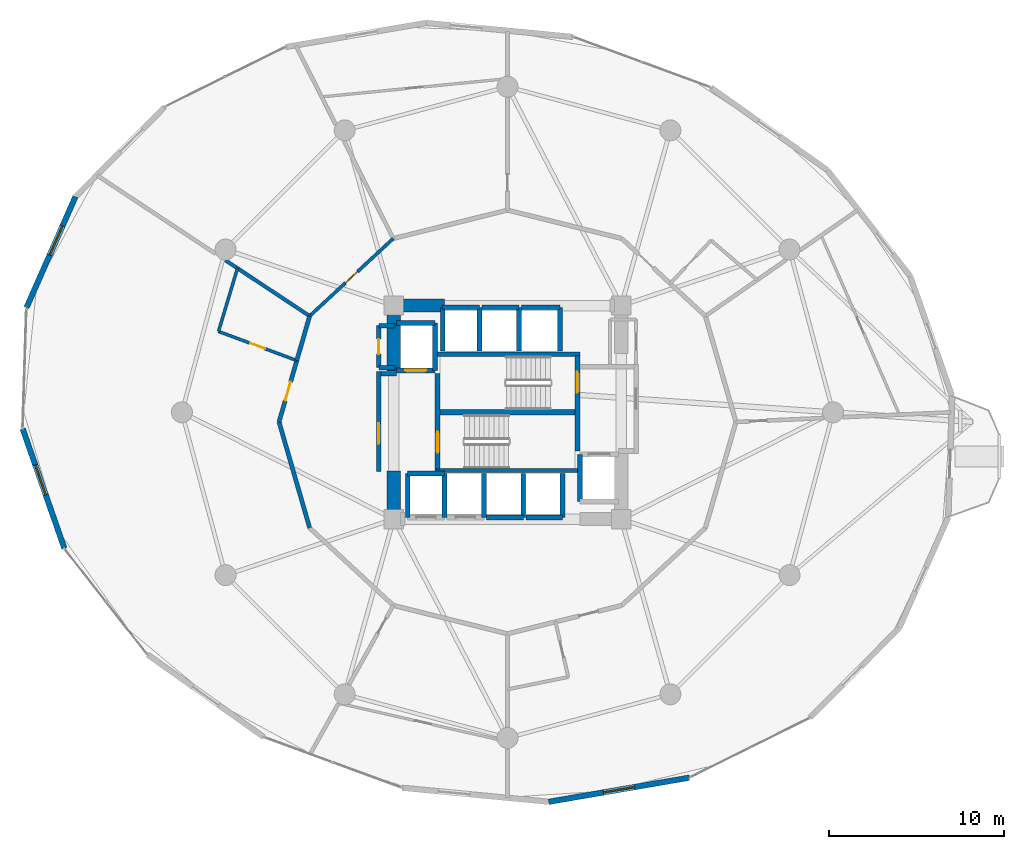
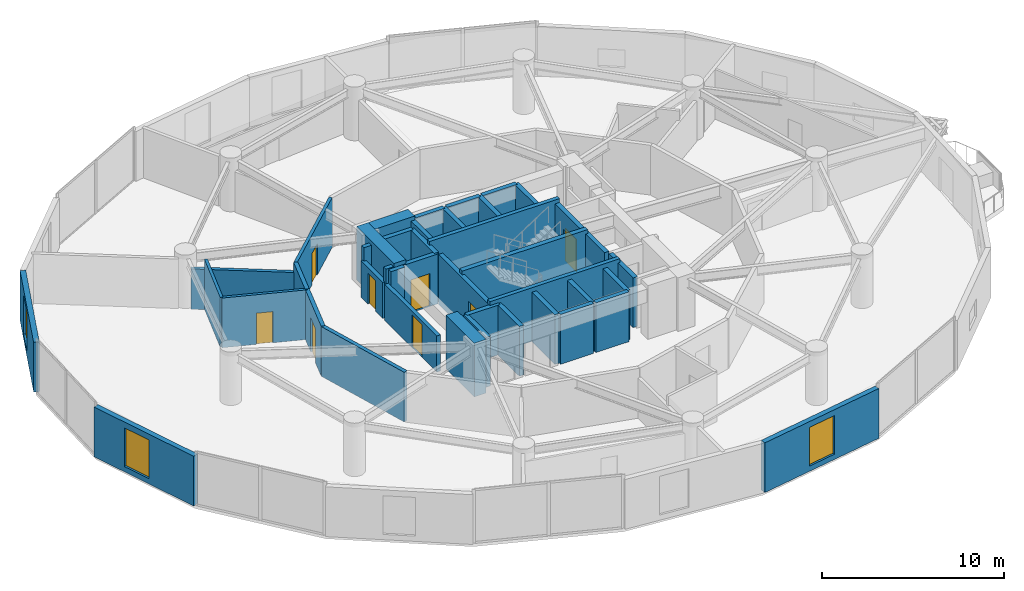
# One storey, part 17 of 22: 42 walls, 8 doors, 3 windows, 11 openings.
"""IFC4 building model written with IfcOpenShell, lengths in metres."""

from ifc_helpers import new_model, si_unit, direction, frame, frame_2d, origin, place, context, subcontext, project, spatial, rectangle, extrude, material, layer, layer_set, type_object, element, fill, save


model = new_model("IFC4")

# Units and contexts
model_context = context("Model", 3, precision=1e-05, world=origin(), true_north=direction((0.0, 1.0)))
body_context = subcontext(model_context, "Body", "Model", "MODEL_VIEW")
ifc_project = project(units=[si_unit("LENGTHUNIT", "METRE"), si_unit("AREAUNIT", "SQUARE_METRE"), si_unit("VOLUMEUNIT", "CUBIC_METRE"), si_unit("PLANEANGLEUNIT", "RADIAN"), si_unit("MASSUNIT", "GRAM", prefix="KILO")], contexts=[model_context])

# Site, building, storey
site_placement = place(None, origin())
site = spatial("IfcSite", under=ifc_project, at=site_placement, CompositionType="ELEMENT")
building_placement = place(site_placement, origin())
building = spatial("IfcBuilding", under=site, at=building_placement, Name="Solvirekh Grand Hotel", CompositionType="ELEMENT")
storey_placement = place(building_placement, frame((0.0, 0.0, 53.60009765625)))
storey = spatial("IfcBuildingStorey", under=building, at=storey_placement, Name="L12", CompositionType="ELEMENT", Elevation=53.60009765625)

# Walls
ifc_material_1 = material(Name="Concrete C50/60", Category="concrete")
ifc_layer_1 = layer(ifc_material_1, 0.35009765625)
ifc_layer_set_1 = layer_set([ifc_layer_1], Name="Concrete C50/60")
wall_type_1 = type_object("IfcWallType", Name="CoreDivWall_RC350", PredefinedType="SOLIDWALL", material=ifc_layer_set_1)
for number, where, z_axis, x_axis, name in (
    (1, (-4.1298828125, -3.324951171875, 0.0), (0.0, 0.0, 1.0), (1.0, 0.0, 0.0), "L12 core stair box wall ST-S"),
    (2, (-4.1298828125, 3.324951171875, 0.0), (0.0, 0.0, 1.0), (1.0, 0.0, 0.0), "L12 core stair box wall ST-N"),
):
    element("IfcWall", number, at=place(storey_placement, frame(where, z_axis=z_axis, x_axis=x_axis)), inside=storey, type_object=wall_type_1, Name=name, PredefinedType="SOLIDWALL", context=body_context, shape_type="SweptSolid", body=[
        extrude(rectangle(XDim=8.259765625, YDim=0.25, at=frame_2d((4.1298828125, 0.0))), origin(), (0.0, 0.0, 1.0), 3.599853515625),
    ])
ifc_material_2 = material(Name="Concrete C40/50", Category="concrete")
ifc_layer_2 = layer(ifc_material_2, 0.280029296875)
ifc_layer_set_2 = layer_set([ifc_layer_2], Name="Concrete C40/50")
wall_type_2 = type_object("IfcWallType", Name="CoreShaftWall_RC280", PredefinedType="SOLIDWALL", material=ifc_layer_set_2)
wall_1_placement = place(storey_placement, frame((-3.60009765625, -3.5, 0.0), z_axis=(0.0, 0.0, 1.0), x_axis=(-1.0, 0.0, 0.0)))
element("IfcWall", 3, at=wall_1_placement, inside=storey, type_object=wall_type_2, Name="L12 LP-1 hoistway N wall", PredefinedType="SOLIDWALL", context=body_context, shape_type="SweptSolid", body=[
    extrude(rectangle(XDim=2.099853515625, YDim=0.280029296875, at=frame_2d((1.0498046875, 0.0))), origin(), (0.0, 0.0, 1.0), 3.33984375),
])
for number, where, z_axis, x_axis, name in (
    (4, (-5.699951171875, -3.5, 0.0), (0.0, 0.0, 1.0), (0.0, -1.0, 0.0), "L12 LP-1 hoistway W wall"),
    (5, (-3.60009765625, -6.0, 0.0), (0.0, 0.0, 1.0), (0.0, 1.0, 0.0), "L12 LP-1 hoistway E wall"),
    (6, (-1.35009765625, -6.0, 0.0), (0.0, 0.0, 1.0), (0.0, 1.0, 0.0), "L12 LP-2 hoistway E wall"),
):
    element("IfcWall", number, at=place(storey_placement, frame(where, z_axis=z_axis, x_axis=x_axis)), inside=storey, type_object=wall_type_2, Name=name, PredefinedType="SOLIDWALL", context=body_context, shape_type="SweptSolid", body=[
        extrude(rectangle(XDim=2.5, YDim=0.280029296875, at=frame_2d((1.25, 0.0))), origin(), (0.0, 0.0, 1.0), 3.33984375),
    ])
wall_2_placement = place(storey_placement, frame((-1.199951171875, -6.0, 0.0), z_axis=(0.0, 0.0, 1.0), x_axis=(1.0, 0.0, 0.0)))
element("IfcWall", 7, at=wall_2_placement, inside=storey, type_object=wall_type_2, Name="L12 MP-1 hoistway S wall", PredefinedType="SOLIDWALL", context=body_context, shape_type="SweptSolid", body=[
    extrude(rectangle(XDim=2.099853515625, YDim=0.280029296875, at=frame_2d((1.0498046875, 0.0))), origin(), (0.0, 0.0, 1.0), 3.33984375),
])
wall_3_placement = place(storey_placement, frame((0.89990234375, -6.0, 0.0), z_axis=(0.0, 0.0, 1.0), x_axis=(0.0, 1.0, 0.0)))
element("IfcWall", 8, at=wall_3_placement, inside=storey, type_object=wall_type_2, Name="L12 MP-1 hoistway E wall", PredefinedType="SOLIDWALL", context=body_context, shape_type="SweptSolid", body=[
    extrude(rectangle(XDim=2.5, YDim=0.280029296875, at=frame_2d((1.25, 0.0))), origin(), (0.0, 0.0, 1.0), 3.33984375),
])
wall_4_placement = place(storey_placement, frame((1.050048828125, -6.0, 0.0), z_axis=(0.0, 0.0, 1.0), x_axis=(1.0, 0.0, 0.0)))
element("IfcWall", 9, at=wall_4_placement, inside=storey, type_object=wall_type_2, Name="L12 MP-2 hoistway S wall", PredefinedType="SOLIDWALL", context=body_context, shape_type="SweptSolid", body=[
    extrude(rectangle(XDim=2.099853515625, YDim=0.280029296875, at=frame_2d((1.0498046875, 0.0))), origin(), (0.0, 0.0, 1.0), 3.33984375),
])
wall_5_placement = place(storey_placement, frame((3.14990234375, -6.0, 0.0), z_axis=(0.0, 0.0, 1.0), x_axis=(0.0, 1.0, 0.0)))
element("IfcWall", 10, at=wall_5_placement, inside=storey, type_object=wall_type_2, Name="L12 MP-2 hoistway E wall", PredefinedType="SOLIDWALL", context=body_context, shape_type="SweptSolid", body=[
    extrude(rectangle(XDim=2.5, YDim=0.280029296875, at=frame_2d((1.25, 0.0))), origin(), (0.0, 0.0, 1.0), 3.33984375),
])
wall_6_placement = place(storey_placement, frame((-1.60009765625, 6.0, 0.0), z_axis=(0.0, 0.0, 1.0), x_axis=(-1.0, 0.0, 0.0)))
element("IfcWall", 11, at=wall_6_placement, inside=storey, type_object=wall_type_2, Name="L12 HP-1 hoistway N wall", PredefinedType="SOLIDWALL", context=body_context, shape_type="SweptSolid", body=[
    extrude(rectangle(XDim=2.099853515625, YDim=0.280029296875, at=frame_2d((1.0498046875, 0.0))), origin(), (0.0, 0.0, 1.0), 3.33984375),
])
for number, where, z_axis, x_axis, name in (
    (12, (-3.699951171875, 6.0, 0.0), (0.0, 0.0, 1.0), (0.0, -1.0, 0.0), "L12 HP-1 hoistway W wall"),
    (13, (-1.60009765625, 3.5, 0.0), (0.0, 0.0, 1.0), (0.0, 1.0, 0.0), "L12 HP-1 hoistway E wall"),
):
    element("IfcWall", number, at=place(storey_placement, frame(where, z_axis=z_axis, x_axis=x_axis)), inside=storey, type_object=wall_type_2, Name=name, PredefinedType="SOLIDWALL", context=body_context, shape_type="SweptSolid", body=[
        extrude(rectangle(XDim=2.5, YDim=0.280029296875, at=frame_2d((1.25, 0.0))), origin(), (0.0, 0.0, 1.0), 3.33984375),
    ])
wall_7_placement = place(storey_placement, frame((0.64990234375, 6.0, 0.0), z_axis=(0.0, 0.0, 1.0), x_axis=(-1.0, 0.0, 0.0)))
element("IfcWall", 14, at=wall_7_placement, inside=storey, type_object=wall_type_2, Name="L12 HP-2 hoistway N wall", PredefinedType="SOLIDWALL", context=body_context, shape_type="SweptSolid", body=[
    extrude(rectangle(XDim=2.099853515625, YDim=0.280029296875, at=frame_2d((1.0498046875, 0.0))), origin(), (0.0, 0.0, 1.0), 3.33984375),
])
wall_8_placement = place(storey_placement, frame((0.64990234375, 3.5, 0.0), z_axis=(0.0, 0.0, 1.0), x_axis=(0.0, 1.0, 0.0)))
element("IfcWall", 15, at=wall_8_placement, inside=storey, type_object=wall_type_2, Name="L12 HP-2 hoistway E wall", PredefinedType="SOLIDWALL", context=body_context, shape_type="SweptSolid", body=[
    extrude(rectangle(XDim=2.5, YDim=0.280029296875, at=frame_2d((1.25, 0.0))), origin(), (0.0, 0.0, 1.0), 3.33984375),
])
wall_9_placement = place(storey_placement, frame((3.0, 6.0, 0.0), z_axis=(0.0, 0.0, 1.0), x_axis=(-1.0, 0.0, 0.0)))
element("IfcWall", 16, at=wall_9_placement, inside=storey, type_object=wall_type_2, Name="L12 EX-1 hoistway N wall", PredefinedType="SOLIDWALL", context=body_context, shape_type="SweptSolid", body=[
    extrude(rectangle(XDim=2.199951171875, YDim=0.280029296875, at=frame_2d((1.10009765625, 0.0))), origin(), (0.0, 0.0, 1.0), 3.33984375),
])
wall_10_placement = place(storey_placement, frame((3.0, 3.5, 0.0), z_axis=(0.0, 0.0, 1.0), x_axis=(0.0, 1.0, 0.0)))
element("IfcWall", 17, at=wall_10_placement, inside=storey, type_object=wall_type_2, Name="L12 EX-1 hoistway E wall", PredefinedType="SOLIDWALL", context=body_context, shape_type="SweptSolid", body=[
    extrude(rectangle(XDim=2.5, YDim=0.280029296875, at=frame_2d((1.25, 0.0))), origin(), (0.0, 0.0, 1.0), 3.33984375),
])

# Wall, opening, door
wall_11_placement = place(storey_placement, frame((-6.35009765625, 2.39990234375, 0.0), z_axis=(0.0, 0.0, 1.0), x_axis=(1.0, 0.0, 0.0)))
wall_11 = element("IfcWall", 18, at=wall_11_placement, inside=storey, type_object=wall_type_2, Name="L12 FL-1 hoistway S wall", PredefinedType="SOLIDWALL", context=body_context, shape_type="SweptSolid", body=[
    extrude(rectangle(XDim=2.2001953125, YDim=0.280029296875, at=frame_2d((1.10009765625, 0.0))), origin(), (0.0, 0.0, 1.0), 3.33984375),
])
opening_1_placement = place(wall_11_placement, frame((0.5, 0.0, 0.0)))
opening_1 = element("IfcOpeningElement", 19, at=opening_1_placement, cuts=wall_11, Name="Opening LD02", PredefinedType="OPENING", context=body_context, shape_type="SweptSolid", body=[
    extrude(rectangle(XDim=1.199951171875, YDim=2.199951171875, at=frame_2d((0.60009765625, 1.10009765625))), frame((0.0, 0.14990234375, 0.0), z_axis=(0.0, -1.0, 0.0), x_axis=(1.0, 0.0, 0.0)), (0.0, 0.0, 1.0), 0.300048828125),
])
ifc_material_3 = material(Name="Fire-Rated Steel Door Assembly", Category="steel")
door_type_1 = type_object("IfcDoorType", Name="Door_LiftFF_1200X2200", OperationType="SLIDING_TO_LEFT", PredefinedType="DOOR", material=ifc_material_3)
door_1_placement = place(opening_1_placement, origin())
door_1 = element("IfcDoor", 20, at=door_1_placement, inside=storey, type_object=door_type_1, Name="L12 FL-1 sliding lift landing door", OperationType="SLIDING_TO_LEFT", OverallHeight=2.199951171875, OverallWidth=1.199951171875, PredefinedType="DOOR", context=body_context, shape_type="SweptSolid", body=[
    extrude(rectangle(XDim=1.199951171875, YDim=2.199951171875, at=frame_2d((0.60009765625, 1.10009765625))), frame((0.0, 0.02490234375, 0.0), z_axis=(0.0, -1.0, 0.0), x_axis=(1.0, 0.0, 0.0)), (0.0, 0.0, 1.0), 0.050048828125),
])
fill(opening_1, door_1)

# Walls
wall_12_placement = place(storey_placement, frame((-4.14990234375, 5.10009765625, 0.0), z_axis=(0.0, 0.0, 1.0), x_axis=(-1.0, 0.0, 0.0)))
element("IfcWall", 21, at=wall_12_placement, inside=storey, type_object=wall_type_2, Name="L12 FL-1 hoistway N wall", PredefinedType="SOLIDWALL", context=body_context, shape_type="SweptSolid", body=[
    extrude(rectangle(XDim=2.2001953125, YDim=0.280029296875, at=frame_2d((1.10009765625, 0.0))), origin(), (0.0, 0.0, 1.0), 3.33984375),
])
for number, where, z_axis, x_axis, name in (
    (22, (-4.14990234375, 2.39990234375, 0.0), (0.0, 0.0, 1.0), (0.0, 1.0, 0.0), "L12 FL-1 hoistway E wall"),
    (23, (4.14990234375, -2.39990234375, 0.0), (0.0, 0.0, 1.0), (0.0, -1.0, 0.0), "L12 FL-2 hoistway W wall"),
):
    element("IfcWall", number, at=place(storey_placement, frame(where, z_axis=z_axis, x_axis=x_axis)), inside=storey, type_object=wall_type_2, Name=name, PredefinedType="SOLIDWALL", context=body_context, shape_type="SweptSolid", body=[
        extrude(rectangle(XDim=2.7001953125, YDim=0.280029296875, at=frame_2d((1.35009765625, 0.0))), origin(), (0.0, 0.0, 1.0), 3.33984375),
    ])

# Wall, opening, door
wall_13_placement = place(storey_placement, frame((-3.989990234375, -3.25, 0.0), z_axis=(0.0, 0.0, 1.0), x_axis=(0.0, 1.0, 0.0)))
wall_13 = element("IfcWall", 24, at=wall_13_placement, inside=storey, type_object=wall_type_2, Name="L12 west stair landing enclosure wall", PredefinedType="SOLIDWALL", context=body_context, shape_type="SweptSolid", body=[
    extrude(rectangle(XDim=5.4599609375, YDim=0.280029296875, at=frame_2d((2.72998046875, 0.0))), origin(), (0.0, 0.0, 1.0), 3.33984375),
])
opening_2_placement = place(wall_13_placement, frame((0.93701171875, 0.0, 0.0)))
opening_2 = element("IfcOpeningElement", 25, at=opening_2_placement, cuts=wall_13, Name="Opening D05", PredefinedType="OPENING", context=body_context, shape_type="SweptSolid", body=[
    extrude(rectangle(XDim=1.199951171875, YDim=2.199951171875, at=frame_2d((0.60009765625, 1.10009765625))), frame((0.0, 0.14990234375, 0.0), z_axis=(0.0, -1.0, 0.0), x_axis=(1.0, 0.0, 0.0)), (0.0, 0.0, 1.0), 0.300048828125),
])
door_type_2 = type_object("IfcDoorType", Name="Door_StairCore_1200X2200", OperationType="NOTDEFINED", PredefinedType="DOOR", material=ifc_material_3)
door_2_placement = place(opening_2_placement, origin())
door_2 = element("IfcDoor", 26, at=door_2_placement, inside=storey, type_object=door_type_2, Name="L12 exit stair ST-1 fire door", OperationType="SINGLE_SWING_LEFT", OverallHeight=2.199951171875, OverallWidth=1.199951171875, PredefinedType="DOOR", context=body_context, shape_type="SweptSolid", body=[
    extrude(rectangle(XDim=1.199951171875, YDim=2.199951171875, at=frame_2d((0.60009765625, 1.10009765625))), frame((0.0, 0.02490234375, 0.0), z_axis=(0.0, -1.0, 0.0), x_axis=(1.0, 0.0, 0.0)), (0.0, 0.0, 1.0), 0.050048828125),
])
fill(opening_2, door_2)

wall_14_placement = place(storey_placement, frame((3.989990234375, -2.2099609375, 0.0), z_axis=(0.0, 0.0, 1.0), x_axis=(0.0, 1.0, 0.0)))
wall_14 = element("IfcWall", 27, at=wall_14_placement, inside=storey, type_object=wall_type_2, Name="L12 east stair landing enclosure wall", PredefinedType="SOLIDWALL", context=body_context, shape_type="SweptSolid", body=[
    extrude(rectangle(XDim=5.4599609375, YDim=0.280029296875, at=frame_2d((2.72998046875, 0.0))), origin(), (0.0, 0.0, 1.0), 3.33984375),
])
opening_3_placement = place(wall_14_placement, frame((3.322998046875, 0.0, 0.0)))
opening_3 = element("IfcOpeningElement", 28, at=opening_3_placement, cuts=wall_14, Name="Opening D05", PredefinedType="OPENING", context=body_context, shape_type="SweptSolid", body=[
    extrude(rectangle(XDim=1.199951171875, YDim=2.199951171875, at=frame_2d((0.60009765625, 1.10009765625))), frame((0.0, 0.14990234375, 0.0), z_axis=(0.0, -1.0, 0.0), x_axis=(1.0, 0.0, 0.0)), (0.0, 0.0, 1.0), 0.300048828125),
])
door_3_placement = place(opening_3_placement, origin())
door_3 = element("IfcDoor", 29, at=door_3_placement, inside=storey, type_object=door_type_2, Name="L12 exit stair ST-2 fire door", OperationType="SINGLE_SWING_RIGHT", OverallHeight=2.199951171875, OverallWidth=1.199951171875, PredefinedType="DOOR", context=body_context, shape_type="SweptSolid", body=[
    extrude(rectangle(XDim=1.199951171875, YDim=2.199951171875, at=frame_2d((0.60009765625, 1.10009765625))), frame((0.0, 0.02490234375, 0.0), z_axis=(0.0, -1.0, 0.0), x_axis=(1.0, 0.0, 0.0)), (0.0, 0.0, 1.0), 0.050048828125),
])
fill(opening_3, door_3)

# Walls
ifc_material_4 = material(Name="Concrete C60/75", Category="concrete")
ifc_layer_3 = layer(ifc_material_4, 0.75)
ifc_layer_set_3 = layer_set([ifc_layer_3], Name="Concrete C60/75")
wall_type_3 = type_object("IfcWallType", Name="CoreWall_RC750", PredefinedType="SHEAR", material=ifc_layer_set_3)
wall_15_placement = place(storey_placement, frame((-3.989990234375, 0.0, 0.0), z_axis=(0.0, 0.0, 1.0), x_axis=(1.0, 0.0, 0.0)))
element("IfcWall", 30, at=wall_15_placement, inside=storey, type_object=wall_type_3, Name="L12 central stair-spine shear wall", PredefinedType="SHEAR", context=body_context, shape_type="SweptSolid", body=[
    extrude(rectangle(XDim=7.97998046875, YDim=0.300048828125, at=frame_2d((3.989990234375, 0.0))), origin(), (0.0, 0.0, 1.0), 3.599853515625),
])
wall_16_placement = place(storey_placement, frame((-6.125, 6.10009765625, 0.0), z_axis=(0.0, 0.0, 1.0), x_axis=(1.0, 0.0, 0.0)))
element("IfcWall", 31, at=wall_16_placement, inside=storey, type_object=wall_type_3, Name="L12 core corner shear wall NW-N", PredefinedType="SHEAR", context=body_context, shape_type="SweptSolid", body=[
    extrude(rectangle(XDim=2.52490234375, YDim=0.75, at=frame_2d((1.262451171875, 0.0))), origin(), (0.0, 0.0, 1.0), 3.599853515625),
])
wall_17_placement = place(storey_placement, frame((-6.5, 2.35009765625, 0.0), z_axis=(0.0, 0.0, 1.0), x_axis=(0.0, 1.0, 0.0)))
element("IfcWall", 32, at=wall_17_placement, inside=storey, type_object=wall_type_3, Name="L12 core corner shear wall WN-W", PredefinedType="SHEAR", context=body_context, shape_type="SweptSolid", body=[
    extrude(rectangle(XDim=4.125, YDim=0.75, at=frame_2d((2.0625, 0.0))), origin(), (0.0, 0.0, 1.0), 3.599853515625),
])
wall_18_placement = place(storey_placement, frame((-6.5, -6.47509765625, 0.0), z_axis=(0.0, 0.0, 1.0), x_axis=(0.0, 1.0, 0.0)))
element("IfcWall", 33, at=wall_18_placement, inside=storey, type_object=wall_type_3, Name="L12 core corner shear wall WS-W", PredefinedType="SHEAR", context=body_context, shape_type="SweptSolid", body=[
    extrude(rectangle(XDim=3.125, YDim=0.75, at=frame_2d((1.5625, 0.0))), origin(), (0.0, 0.0, 1.0), 3.599853515625),
])

# Wall, opening, window
ifc_material_5 = material(Name="Precast concrete C45/55", Category="concrete")
ifc_layer_4 = layer(ifc_material_5, 0.320068359375)
ifc_layer_set_4 = layer_set([ifc_layer_4], Name="Precast concrete C45/55")
wall_type_4 = type_object("IfcWallType", Name="ExtLobbyWall_RC320", PredefinedType="SOLIDWALL", material=ifc_layer_set_4)
wall_19_placement = place(storey_placement, frame((-27.47900390625, 5.98193359375, 0.0), z_axis=(0.0, 0.0, 1.0), x_axis=(0.403585525447, 0.914941923648, 0.0)))
wall_19 = element("IfcWall", 34, at=wall_19_placement, inside=storey, type_object=wall_type_4, Name="L12 exterior structural wall chord 10", PredefinedType="SOLIDWALL", context=body_context, shape_type="SweptSolid", body=[
    extrude(rectangle(XDim=6.92529296875, YDim=0.320068359375, at=frame_2d((3.462646484375, 0.0))), origin(), (0.0, 0.0, 1.0), 3.33984375),
])
opening_4_placement = place(wall_19_placement, frame((3.291015625, 0.0, 0.35009765625)))
opening_4 = element("IfcOpeningElement", 35, at=opening_4_placement, cuts=wall_19, Name="Opening W02", PredefinedType="OPENING", context=body_context, shape_type="SweptSolid", body=[
    extrude(rectangle(XDim=1.800048828125, YDim=2.60009765625, at=frame_2d((0.89990234375, 1.300048828125))), frame((0.0, 0.169921875, 0.0), z_axis=(0.0, -1.0, 0.0), x_axis=(1.0, 0.0, 0.0)), (0.0, 0.0, 1.0), 0.340087890625),
])
ifc_material_6 = material(Name="Low-E Tinted Bronze Laminated Glass", Category="aluminium")
window_type = type_object("IfcWindowType", Name="Win_LobbyExt_1800X2600", PartitioningType="SINGLE_PANEL", PredefinedType="WINDOW", material=ifc_material_6)
window_1_placement = place(opening_4_placement, origin())
window_1 = element("IfcWindow", 36, at=window_1_placement, inside=storey, type_object=window_type, Name="L12 panoramic bronze-framed window 10", OverallHeight=2.60009765625, OverallWidth=1.800048828125, PartitioningType="SINGLE_PANEL", PredefinedType="WINDOW", context=body_context, shape_type="SweptSolid", body=[
    extrude(rectangle(XDim=1.800048828125, YDim=2.60009765625, at=frame_2d((0.89990234375, 1.300048828125))), frame((0.0, 0.030029296875, 0.0), z_axis=(0.0, -1.0, 0.0), x_axis=(1.0, 0.0, 0.0)), (0.0, 0.0, 1.0), 0.06005859375),
])
fill(opening_4, window_1)

wall_20_placement = place(storey_placement, frame((-25.31591796875, -7.77099609375, 0.0), z_axis=(0.0, 0.0, 1.0), x_axis=(-0.329147543184, 0.9442785049, 0.0)))
wall_20 = element("IfcWall", 37, at=wall_20_placement, inside=storey, type_object=wall_type_4, Name="L12 exterior structural wall chord 12", PredefinedType="SOLIDWALL", context=body_context, shape_type="SweptSolid", body=[
    extrude(rectangle(XDim=7.234130859375, YDim=0.320068359375, at=frame_2d((3.6171875, 0.0))), origin(), (0.0, 0.0, 1.0), 3.33984375),
])
opening_5_placement = place(wall_20_placement, frame((3.243896484375, 0.0, 0.35009765625)))
opening_5 = element("IfcOpeningElement", 38, at=opening_5_placement, cuts=wall_20, Name="Opening W02", PredefinedType="OPENING", context=body_context, shape_type="SweptSolid", body=[
    extrude(rectangle(XDim=1.800048828125, YDim=2.60009765625, at=frame_2d((0.89990234375, 1.300048828125))), frame((0.0, 0.169921875, 0.0), z_axis=(0.0, -1.0, 0.0), x_axis=(1.0, 0.0, 0.0)), (0.0, 0.0, 1.0), 0.340087890625),
])
window_2_placement = place(opening_5_placement, origin())
window_2 = element("IfcWindow", 39, at=window_2_placement, inside=storey, type_object=window_type, Name="L12 panoramic bronze-framed window 12", OverallHeight=2.60009765625, OverallWidth=1.800048828125, PartitioningType="SINGLE_PANEL", PredefinedType="WINDOW", context=body_context, shape_type="SweptSolid", body=[
    extrude(rectangle(XDim=1.800048828125, YDim=2.60009765625, at=frame_2d((0.89990234375, 1.300048828125))), frame((0.0, 0.030029296875, 0.0), z_axis=(0.0, -1.0, 0.0), x_axis=(1.0, 0.0, 0.0)), (0.0, 0.0, 1.0), 0.06005859375),
])
fill(opening_5, window_2)

wall_21_placement = place(storey_placement, frame((10.383056640625, -20.8720703125, 0.0), z_axis=(0.0, 0.0, 1.0), x_axis=(-0.985561469065, -0.169318016449, 0.0)))
wall_21 = element("IfcWall", 40, at=wall_21_placement, inside=storey, type_object=wall_type_4, Name="L12 exterior structural wall chord 17", PredefinedType="SOLIDWALL", context=body_context, shape_type="SweptSolid", body=[
    extrude(rectangle(XDim=8.149658203125, YDim=0.320068359375, at=frame_2d((4.07470703125, 0.0))), origin(), (0.0, 0.0, 1.0), 3.33984375),
])
opening_6_placement = place(wall_21_placement, frame((3.175048828125, 0.0, 0.35009765625)))
opening_6 = element("IfcOpeningElement", 41, at=opening_6_placement, cuts=wall_21, Name="Opening W02", PredefinedType="OPENING", context=body_context, shape_type="SweptSolid", body=[
    extrude(rectangle(XDim=1.800048828125, YDim=2.60009765625, at=frame_2d((0.89990234375, 1.300048828125))), frame((0.0, 0.169921875, 0.0), z_axis=(0.0, -1.0, 0.0), x_axis=(1.0, 0.0, 0.0)), (0.0, 0.0, 1.0), 0.340087890625),
])
window_3_placement = place(opening_6_placement, origin())
window_3 = element("IfcWindow", 42, at=window_3_placement, inside=storey, type_object=window_type, Name="L12 panoramic bronze-framed window 17", OverallHeight=2.60009765625, OverallWidth=1.800048828125, PartitioningType="SINGLE_PANEL", PredefinedType="WINDOW", context=body_context, shape_type="SweptSolid", body=[
    extrude(rectangle(XDim=1.800048828125, YDim=2.60009765625, at=frame_2d((0.89990234375, 1.300048828125))), frame((0.0, 0.030029296875, 0.0), z_axis=(0.0, -1.0, 0.0), x_axis=(1.0, 0.0, 0.0)), (0.0, 0.0, 1.0), 0.06005859375),
])
fill(opening_6, window_3)

# Wall, opening, door
ifc_material_7 = material(Name="Acoustic Gypsum Partition Assembly")
ifc_layer_5 = layer(ifc_material_7, 0.239990234375)
ifc_layer_set_5 = layer_set([ifc_layer_5], Name="Acoustic Gypsum Partition Assembly")
wall_type_5 = type_object("IfcWallType", Name="Part_Corridor_240", PredefinedType="PARTITIONING", material=ifc_layer_set_5)
wall_22_placement = place(storey_placement, frame((-7.35009765625, -3.3798828125, 0.0), z_axis=(0.0, 0.0, 1.0), x_axis=(0.0, 1.0, 0.0)))
wall_22 = element("IfcWall", 43, at=wall_22_placement, inside=storey, type_object=wall_type_5, Name="L12 west firefighting lobby smoke screen wall", PredefinedType="PARTITIONING", context=body_context, shape_type="SweptSolid", body=[
    extrude(rectangle(XDim=5.719970703125, YDim=0.239990234375, at=frame_2d((2.85986328125, 0.0))), origin(), (0.0, 0.0, 1.0), 2.4248046875),
])
opening_7_placement = place(wall_22_placement, frame((1.59912109375, 0.0, 0.0)))
opening_7 = element("IfcOpeningElement", 44, at=opening_7_placement, cuts=wall_22, Name="Opening D06", PredefinedType="OPENING", context=body_context, shape_type="SweptSolid", body=[
    extrude(rectangle(XDim=1.14990234375, YDim=2.199951171875, at=frame_2d((0.574951171875, 1.10009765625))), frame((0.0, 0.1298828125, 0.0), z_axis=(0.0, -1.0, 0.0), x_axis=(1.0, 0.0, 0.0)), (0.0, 0.0, 1.0), 0.260009765625),
])
door_type_3 = type_object("IfcDoorType", Name="Door_FFLobby_1150X2200", OperationType="NOTDEFINED", PredefinedType="DOOR", material=ifc_material_3)
door_4_placement = place(opening_7_placement, origin())
door_4 = element("IfcDoor", 45, at=door_4_placement, inside=storey, type_object=door_type_3, Name="L12 west firefighting lobby smoke door", OperationType="SINGLE_SWING_LEFT", OverallHeight=2.199951171875, OverallWidth=1.14990234375, PredefinedType="DOOR", context=body_context, shape_type="SweptSolid", body=[
    extrude(rectangle(XDim=1.14990234375, YDim=2.199951171875, at=frame_2d((0.574951171875, 1.10009765625))), frame((0.0, 0.02490234375, 0.0), z_axis=(0.0, -1.0, 0.0), x_axis=(1.0, 0.0, 0.0)), (0.0, 0.0, 1.0), 0.050048828125),
])
fill(opening_7, door_4)

# Walls
wall_23_placement = place(storey_placement, frame((-11.302001953125, 5.5, 0.0), z_axis=(0.0, 0.0, 1.0), x_axis=(-0.277475281216, -0.960732776746, 0.0)))
element("IfcWall", 46, at=wall_23_placement, inside=storey, type_object=wall_type_5, Name="L12 En-suite Bathroom 1401 corridor backing wall", PredefinedType="PARTITIONING", context=body_context, shape_type="SweptSolid", body=[
    extrude(rectangle(XDim=2.644775390625, YDim=0.239990234375, at=frame_2d((1.322265625, 0.0))), origin(), (0.0, 0.0, 1.0), 3.33984375),
])
wall_24_placement = place(storey_placement, frame((-13.050048828125, -0.550048828125, 0.0), z_axis=(0.0, 0.0, 1.0), x_axis=(0.27757702443, -0.960703385811, 0.0)))
element("IfcWall", 47, at=wall_24_placement, inside=storey, type_object=wall_type_5, Name="L12 Presidential Suite 1401 Living Room corridor wall 1", PredefinedType="PARTITIONING", context=body_context, shape_type="SweptSolid", body=[
    extrude(rectangle(XDim=6.297607421875, YDim=0.239990234375, at=frame_2d((3.14892578125, 0.0))), origin(), (0.0, 0.0, 1.0), 3.33984375),
])

# Wall, opening, door
wall_25_placement = place(storey_placement, frame((-12.035888671875, 2.958984375, 0.0), z_axis=(0.0, 0.0, 1.0), x_axis=(-0.277650694477, -0.960682097187, 0.0)))
wall_25 = element("IfcWall", 48, at=wall_25_placement, inside=storey, type_object=wall_type_5, Name="L12 Presidential Suite 1401 Living Room entrance wall", PredefinedType="PARTITIONING", context=body_context, shape_type="SweptSolid", body=[
    extrude(rectangle(XDim=3.652587890625, YDim=0.239990234375, at=frame_2d((1.826171875, 0.0))), origin(), (0.0, 0.0, 1.0), 3.33984375),
])
opening_8_placement = place(wall_25_placement, frame((1.27587890625, 0.0, 0.0)))
opening_8 = element("IfcOpeningElement", 49, at=opening_8_placement, cuts=wall_25, Name="Opening D08", PredefinedType="OPENING", context=body_context, shape_type="SweptSolid", body=[
    extrude(rectangle(XDim=1.10009765625, YDim=2.300048828125, at=frame_2d((0.550048828125, 1.14990234375))), frame((0.0, 0.1298828125, 0.0), z_axis=(0.0, -1.0, 0.0), x_axis=(1.0, 0.0, 0.0)), (0.0, 0.0, 1.0), 0.260009765625),
])
door_type_4 = type_object("IfcDoorType", Name="Door_SuiteEntry_1100X2300", OperationType="NOTDEFINED", PredefinedType="DOOR", material=ifc_material_3)
door_5_placement = place(opening_8_placement, origin())
door_5 = element("IfcDoor", 50, at=door_5_placement, inside=storey, type_object=door_type_4, Name="L12 Presidential Suite 1401 Living Room entrance door", OperationType="SINGLE_SWING_RIGHT", OverallHeight=2.300048828125, OverallWidth=1.10009765625, PredefinedType="DOOR", context=body_context, shape_type="SweptSolid", body=[
    extrude(rectangle(XDim=1.10009765625, YDim=2.300048828125, at=frame_2d((0.550048828125, 1.14990234375))), frame((0.0, 0.02490234375, 0.0), z_axis=(0.0, -1.0, 0.0), x_axis=(1.0, 0.0, 0.0)), (0.0, 0.0, 1.0), 0.050048828125),
])
fill(opening_8, door_5)

ifc_layer_6 = layer(ifc_material_7, 0.18994140625)
ifc_layer_set_6 = layer_set([ifc_layer_6], Name="Acoustic Gypsum Partition Assembly")
wall_type_6 = type_object("IfcWallType", Name="Part_GuestDemise_190", PredefinedType="PARTITIONING", material=ifc_layer_set_6)
wall_26_placement = place(storey_placement, frame((-6.52490234375, 9.928955078125, 0.0), z_axis=(0.0, 0.0, 1.0), x_axis=(-0.733323191675, -0.679880207501, 0.0)))
wall_26 = element("IfcWall", 51, at=wall_26_placement, inside=storey, type_object=wall_type_6, Name="L12 L12 Sommelier Tea Lounge entrance wall", PredefinedType="PARTITIONING", context=body_context, shape_type="SweptSolid", body=[
    extrude(rectangle(XDim=6.514404296875, YDim=0.18994140625, at=frame_2d((3.25732421875, 0.0))), origin(), (0.0, 0.0, 1.0), 3.33984375),
])
opening_9_placement = place(wall_26_placement, frame((2.781982421875, 0.0, 0.0)))
opening_9 = element("IfcOpeningElement", 52, at=opening_9_placement, cuts=wall_26, Name="Opening D10", PredefinedType="OPENING", context=body_context, shape_type="SweptSolid", body=[
    extrude(rectangle(XDim=0.949951171875, YDim=2.10009765625, at=frame_2d((0.47509765625, 1.050048828125))), frame((0.0, 0.10498046875, 0.0), z_axis=(0.0, -1.0, 0.0), x_axis=(1.0, 0.0, 0.0)), (0.0, 0.0, 1.0), 0.2099609375),
])
ifc_material_8 = material(Name="Anodized Bronze Aluminium 6063-T6", Category="aluminium")
door_type_5 = type_object("IfcDoorType", Name="Door_RoomInt_950X2100", OperationType="NOTDEFINED", PredefinedType="DOOR", material=ifc_material_8)
door_6_placement = place(opening_9_placement, origin())
door_6 = element("IfcDoor", 53, at=door_6_placement, inside=storey, type_object=door_type_5, Name="L12 L12 Sommelier Tea Lounge entrance door", OperationType="SINGLE_SWING_LEFT", OverallHeight=2.10009765625, OverallWidth=0.949951171875, PredefinedType="DOOR", context=body_context, shape_type="SweptSolid", body=[
    extrude(rectangle(XDim=0.949951171875, YDim=2.10009765625, at=frame_2d((0.47509765625, 1.050048828125))), frame((0.0, 0.02490234375, 0.0), z_axis=(0.0, -1.0, 0.0), x_axis=(1.0, 0.0, 0.0)), (0.0, 0.0, 1.0), 0.050048828125),
])
fill(opening_9, door_6)

# Walls
ifc_layer_7 = layer(ifc_material_7, 0.260009765625)
ifc_layer_set_7 = layer_set([ifc_layer_7], Name="Acoustic Gypsum Partition Assembly")
wall_type_7 = type_object("IfcWallType", Name="Part_LobbyFF_260", PredefinedType="PARTITIONING", material=ifc_layer_set_7)
wall_27_placement = place(storey_placement, frame((-7.22509765625, 2.2099609375, 0.0), z_axis=(0.0, 0.0, 1.0), x_axis=(1.0, 0.0, 0.0)))
element("IfcWall", 54, at=wall_27_placement, inside=storey, type_object=wall_type_7, Name="L12 west firefighting lobby NW cheek", PredefinedType="PARTITIONING", context=body_context, shape_type="SweptSolid", body=[
    extrude(rectangle(XDim=0.875, YDim=0.260009765625, at=frame_2d((0.4375, 0.0))), origin(), (0.0, 0.0, 1.0), 3.33984375),
])
for number, where, z_axis, x_axis, name in (
    (55, (-7.35009765625, 4.949951171875, 0.0), (0.0, 0.0, 1.0), (1.0, 0.0, 0.0), "L12 NW telecom metering cupboard north wall"),
    (56, (-7.35009765625, 2.550048828125, 0.0), (0.0, 0.0, 1.0), (1.0, 0.0, 0.0), "L12 NW telecom metering cupboard south wall"),
):
    element("IfcWall", number, at=place(storey_placement, frame(where, z_axis=z_axis, x_axis=x_axis)), inside=storey, type_object=wall_type_7, Name=name, PredefinedType="PARTITIONING", context=body_context, shape_type="SweptSolid", body=[
        extrude(rectangle(XDim=0.93017578125, YDim=0.260009765625, at=frame_2d((0.465087890625, 0.0))), origin(), (0.0, 0.0, 1.0), 3.33984375),
    ])

# Wall, opening, door
wall_28_placement = place(storey_placement, frame((-7.35009765625, 2.550048828125, 0.0), z_axis=(0.0, 0.0, 1.0), x_axis=(0.0, 1.0, 0.0)))
wall_28 = element("IfcWall", 57, at=wall_28_placement, inside=storey, type_object=wall_type_7, Name="L12 NW telecom metering cupboard access wall", PredefinedType="PARTITIONING", context=body_context, shape_type="SweptSolid", body=[
    extrude(rectangle(XDim=2.39990234375, YDim=0.260009765625, at=frame_2d((1.199951171875, 0.0))), origin(), (0.0, 0.0, 1.0), 2.4248046875),
])
opening_10_placement = place(wall_28_placement, frame((0.77490234375, 0.0, 0.0)))
opening_10 = element("IfcOpeningElement", 58, at=opening_10_placement, cuts=wall_28, Name="Opening D13", PredefinedType="OPENING", context=body_context, shape_type="SweptSolid", body=[
    extrude(rectangle(XDim=0.85009765625, YDim=2.050048828125, at=frame_2d((0.425048828125, 1.02490234375))), frame((0.0, 0.14013671875, 0.0), z_axis=(0.0, -1.0, 0.0), x_axis=(1.0, 0.0, 0.0)), (0.0, 0.0, 1.0), 0.280029296875),
])
door_type_6 = type_object("IfcDoorType", Name="Door_RiserShaft_850X2050", OperationType="NOTDEFINED", PredefinedType="DOOR", material=ifc_material_3)
door_7_placement = place(opening_10_placement, origin())
door_7 = element("IfcDoor", 59, at=door_7_placement, inside=storey, type_object=door_type_6, Name="L12 telecom metering cupboard access door", OperationType="SINGLE_SWING_LEFT", OverallHeight=2.050048828125, OverallWidth=0.85009765625, PredefinedType="DOOR", context=body_context, shape_type="SweptSolid", body=[
    extrude(rectangle(XDim=0.85009765625, YDim=2.050048828125, at=frame_2d((0.425048828125, 1.02490234375))), frame((0.0, 0.02490234375, 0.0), z_axis=(0.0, -1.0, 0.0), x_axis=(1.0, 0.0, 0.0)), (0.0, 0.0, 1.0), 0.050048828125),
])
fill(opening_10, door_7)

# Walls
ifc_layer_8 = layer(ifc_material_7, 0.2099609375)
ifc_layer_set_8 = layer_set([ifc_layer_8], Name="Acoustic Gypsum Partition Assembly")
wall_type_8 = type_object("IfcWallType", Name="Part_SuiteDemise_210", PredefinedType="PARTITIONING", material=ifc_layer_set_8)
wall_29_placement = place(storey_placement, frame((-11.302001953125, 5.5, 0.0), z_axis=(0.0, 0.0, 1.0), x_axis=(-0.833864799367, 0.551968745833, 0.0)))
element("IfcWall", 60, at=wall_29_placement, inside=storey, type_object=wall_type_8, Name="L12 suite radial wall 6 (A)", PredefinedType="PARTITIONING", context=body_context, shape_type="SweptSolid", body=[
    extrude(rectangle(XDim=5.760986328125, YDim=0.2099609375, at=frame_2d((2.88037109375, 0.0))), origin(), (0.0, 0.0, 1.0), 2.708984375),
])
ifc_layer_9 = layer(ifc_material_7, 0.175048828125)
ifc_layer_set_9 = layer_set([ifc_layer_9], Name="Acoustic Gypsum Partition Assembly")
wall_type_9 = type_object("IfcWallType", Name="Plumb_Ensuite_175", PredefinedType="PLUMBINGWALL", material=ifc_layer_set_9)
wall_30_placement = place(storey_placement, frame((-15.425048828125, 8.22900390625, 0.0), z_axis=(0.0, 0.0, 1.0), x_axis=(-0.287740266974, -0.957708483184, 0.0)))
element("IfcWall", 61, at=wall_30_placement, inside=storey, type_object=wall_type_9, Name="L12 En-suite Bathroom 1401 outer plumbing wall", PredefinedType="PLUMBINGWALL", context=body_context, shape_type="SweptSolid", body=[
    extrude(rectangle(XDim=3.767333984375, YDim=0.175048828125, at=frame_2d((1.8837890625, 0.0))), origin(), (0.0, 0.0, 1.0), 3.33984375),
])

# Wall, opening, door
wall_31_placement = place(storey_placement, frame((-12.035888671875, 2.958984375, 0.0), z_axis=(0.0, 0.0, 1.0), x_axis=(-0.937380415371, 0.348307273652, 0.0)))
wall_31 = element("IfcWall", 62, at=wall_31_placement, inside=storey, type_object=wall_type_9, Name="L12 En-suite Bathroom 1401 entry plumbing wall", PredefinedType="PLUMBINGWALL", context=body_context, shape_type="SweptSolid", body=[
    extrude(rectangle(XDim=4.77197265625, YDim=0.175048828125, at=frame_2d((2.385986328125, 0.0))), origin(), (0.0, 0.0, 1.0), 3.33984375),
])
opening_11_placement = place(wall_31_placement, frame((1.93603515625, 0.0, 0.0)))
opening_11 = element("IfcOpeningElement", 63, at=opening_11_placement, cuts=wall_31, Name="Opening D09", PredefinedType="OPENING", context=body_context, shape_type="SweptSolid", body=[
    extrude(rectangle(XDim=0.89990234375, YDim=2.10009765625, at=frame_2d((0.449951171875, 1.050048828125))), frame((0.0, 0.09765625, 0.0), z_axis=(0.0, -1.0, 0.0), x_axis=(1.0, 0.0, 0.0)), (0.0, 0.0, 1.0), 0.195068359375),
])
door_type_7 = type_object("IfcDoorType", Name="Door_Ensuite_900X2100", OperationType="NOTDEFINED", PredefinedType="DOOR", material=ifc_material_8)
door_8_placement = place(opening_11_placement, origin())
door_8 = element("IfcDoor", 64, at=door_8_placement, inside=storey, type_object=door_type_7, Name="L12 En-suite Bathroom 1401 door", OperationType="SINGLE_SWING_LEFT", OverallHeight=2.10009765625, OverallWidth=0.89990234375, PredefinedType="DOOR", context=body_context, shape_type="SweptSolid", body=[
    extrude(rectangle(XDim=0.89990234375, YDim=2.10009765625, at=frame_2d((0.449951171875, 1.050048828125))), frame((0.0, 0.02490234375, 0.0), z_axis=(0.0, -1.0, 0.0), x_axis=(1.0, 0.0, 0.0)), (0.0, 0.0, 1.0), 0.050048828125),
])
fill(opening_11, door_8)

save(model, "model.ifc")
